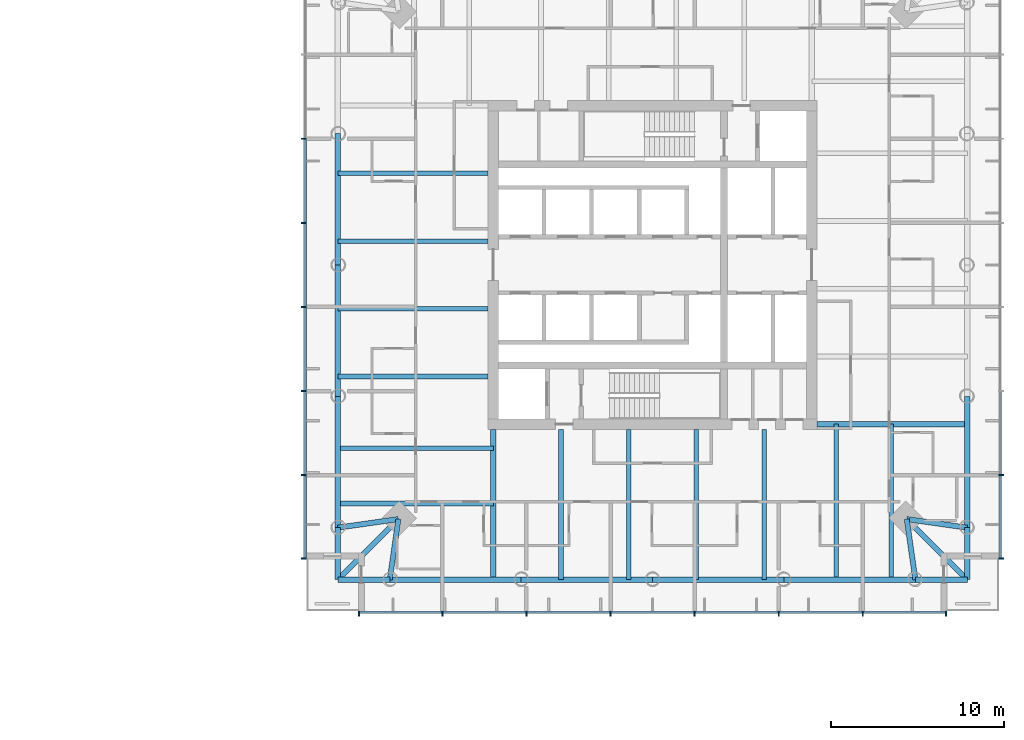
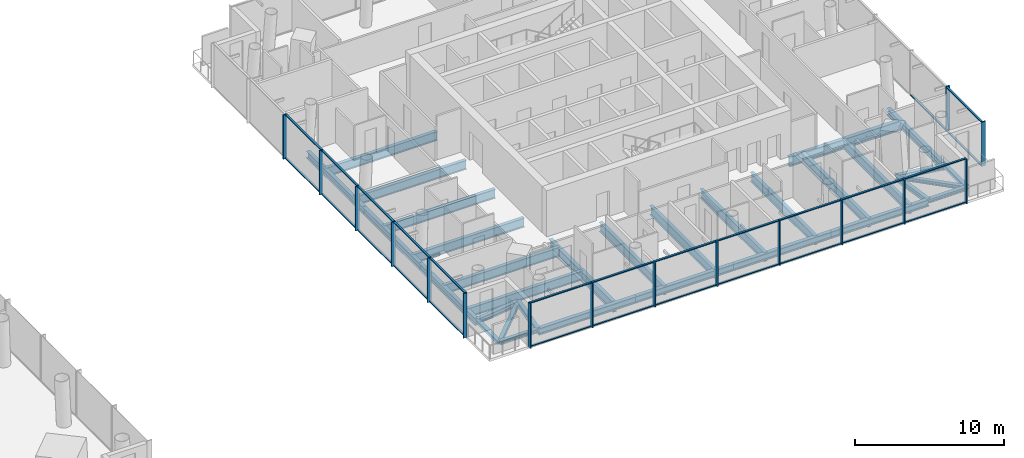
# One storey, part 5 of 22: 43 members, 32 beams, 3 elements without a shape of their own.
"""IFC4 building model written with IfcOpenShell, lengths in metres."""

from ifc_helpers import new_model, si_unit, direction, frame, origin, origin_2d, place, context, subcontext, project, spatial, rectangle, i_section, extrude, material, material_profile, profile_set, type_object, element, aggregate, save


model = new_model("IFC4")

# Units and contexts
model_context = context("Model", 3, precision=1e-05, world=origin(), true_north=direction((0.0, 1.0)))
body_context = subcontext(model_context, "Body", "Model", "MODEL_VIEW")
ifc_project = project(units=[si_unit("LENGTHUNIT", "METRE"), si_unit("AREAUNIT", "SQUARE_METRE"), si_unit("VOLUMEUNIT", "CUBIC_METRE"), si_unit("PLANEANGLEUNIT", "RADIAN"), si_unit("MASSUNIT", "GRAM", prefix="KILO")], contexts=[model_context])

# Site, building, storey
site_placement = place(None, origin())
site = spatial("IfcSite", under=ifc_project, at=site_placement, CompositionType="ELEMENT")
building_placement = place(site_placement, origin())
building = spatial("IfcBuilding", under=site, at=building_placement, Name="Ostroluk Exchange", CompositionType="ELEMENT")
storey_placement = place(building_placement, frame((0.0, 0.0, 40.0)))
storey = spatial("IfcBuildingStorey", under=building, at=storey_placement, Name="L09", CompositionType="ELEMENT", Elevation=40.0)

# Beams
ifc_material_1 = material(Name="Steel S355", Category="steel")
ifc_material_profile_1 = material_profile(ifc_material_1, i_section(OverallWidth=0.300048828125, OverallDepth=0.300048828125, WebThickness=0.010986328125, FlangeThickness=0.01904296875, FilletRadius=0.027099609375, at=origin_2d()), Name="HEB 300")
ifc_profile_set_1 = profile_set([ifc_material_profile_1], Name="Steel S355")
beam_type_1 = type_object("IfcBeamType", Name="Balcony beam HEB 300", PredefinedType="BEAM", material=ifc_profile_set_1)
for number, where, z_axis, x_axis, name in (
    (1, (98.81884765625, 30.81884765625, -0.35009765625), (0.0, -1.0, 0.0), (1.0, 0.0, 0.0), "T2 west balcony beam a"),
    (2, (101.81884765625, 27.81884765625, -0.35009765625), (-1.0, 0.0, 0.0), (0.0, -1.0, 0.0), "T2 west balcony beam b"),
):
    element("IfcBeam", number, at=place(storey_placement, frame(where, z_axis=z_axis, x_axis=x_axis)), inside=storey, type_object=beam_type_1, Name=name, PredefinedType="BEAM", context=body_context, shape_type="SweptSolid", body=[
        extrude(i_section(OverallWidth=0.300048828125, OverallDepth=0.300048828125, WebThickness=0.010986328125, FlangeThickness=0.01904296875, FilletRadius=0.027099609375, at=origin_2d()), origin(), (0.0, 0.0, 1.0), 3.0),
    ])
beam_1_placement = place(storey_placement, frame((102.31884765625, 31.31884765625, -0.35009765625), z_axis=(-0.707106781187, -0.707106781187, 0.0), x_axis=(0.707106781187, -0.707106781187, 0.0)))
element("IfcBeam", 3, at=beam_1_placement, inside=storey, type_object=beam_type_1, Name="T2 west balcony beam c", PredefinedType="BEAM", context=body_context, shape_type="SweptSolid", body=[
    extrude(i_section(OverallWidth=0.300048828125, OverallDepth=0.300048828125, WebThickness=0.010986328125, FlangeThickness=0.01904296875, FilletRadius=0.027099609375, at=origin_2d()), origin(), (0.0, 0.0, 1.0), 4.94970703125),
])
for number, where, z_axis, x_axis, name in (
    (4, (132.18115234375, 27.81884765625, -0.35009765625), (1.0, 0.0, 0.0), (0.0, 1.0, 0.0), "T2 south balcony beam a"),
    (5, (135.18115234375, 30.81884765625, -0.35009765625), (0.0, -1.0, 0.0), (1.0, 0.0, 0.0), "T2 south balcony beam b"),
):
    element("IfcBeam", number, at=place(storey_placement, frame(where, z_axis=z_axis, x_axis=x_axis)), inside=storey, type_object=beam_type_1, Name=name, PredefinedType="BEAM", context=body_context, shape_type="SweptSolid", body=[
        extrude(i_section(OverallWidth=0.300048828125, OverallDepth=0.300048828125, WebThickness=0.010986328125, FlangeThickness=0.01904296875, FilletRadius=0.027099609375, at=origin_2d()), origin(), (0.0, 0.0, 1.0), 3.0),
    ])
beam_2_placement = place(storey_placement, frame((131.68115234375, 31.31884765625, -0.35009765625), z_axis=(0.707106781187, -0.707106781187, 0.0), x_axis=(0.707106781187, 0.707106781187, 0.0)))
element("IfcBeam", 6, at=beam_2_placement, inside=storey, type_object=beam_type_1, Name="T2 south balcony beam c", PredefinedType="BEAM", context=body_context, shape_type="SweptSolid", body=[
    extrude(i_section(OverallWidth=0.300048828125, OverallDepth=0.300048828125, WebThickness=0.010986328125, FlangeThickness=0.01904296875, FilletRadius=0.027099609375, at=origin_2d()), origin(), (0.0, 0.0, 1.0), 4.94970703125),
])
ifc_material_2 = material(Name="Steel S355", Category="steel")
ifc_material_profile_2 = material_profile(ifc_material_2, i_section(OverallWidth=0.300048828125, OverallDepth=0.39990234375, WebThickness=0.013427734375, FlangeThickness=0.02392578125, FilletRadius=0.027099609375, at=origin_2d()), Name="HEB 400")
ifc_profile_set_2 = profile_set([ifc_material_profile_2], Name="Steel S355")
beam_type_2 = type_object("IfcBeamType", Name="Corner edge beam HEB 400", PredefinedType="SPANDREL", material=ifc_profile_set_2)
for number, where, z_axis, x_axis, name in (
    (7, (102.31884765625, 31.31884765625, -0.39990234375), (-0.989949493661, -0.141421356237, 0.0), (0.141421356237, -0.989949493661, 0.0), "T2 west corner edge beam a"),
    (8, (102.31884765625, 31.31884765625, -0.39990234375), (-0.141421356237, -0.989949493661, 0.0), (0.989949493661, -0.141421356237, 0.0), "T2 west corner edge beam b"),
    (9, (131.68115234375, 31.31884765625, -0.39990234375), (0.141421356237, -0.989949493661, 0.0), (0.989949493661, 0.141421356237, 0.0), "T2 south corner edge beam a"),
    (10, (131.68115234375, 31.31884765625, -0.39990234375), (0.989949493661, -0.141421356237, 0.0), (0.141421356237, 0.989949493661, 0.0), "T2 south corner edge beam b"),
):
    element("IfcBeam", number, at=place(storey_placement, frame(where, z_axis=z_axis, x_axis=x_axis)), inside=storey, type_object=beam_type_2, Name=name, PredefinedType="SPANDREL", context=body_context, shape_type="SweptSolid", body=[
        extrude(i_section(OverallWidth=0.300048828125, OverallDepth=0.39990234375, WebThickness=0.013427734375, FlangeThickness=0.02392578125, FilletRadius=0.027099609375, at=origin_2d()), origin(), (0.0, 0.0, 1.0), 3.53564453125),
    ])
ifc_material_3 = material(Name="Steel S355", Category="steel")
ifc_material_profile_3 = material_profile(ifc_material_3, i_section(OverallWidth=0.264892578125, OverallDepth=0.7529296875, WebThickness=0.01318359375, FlangeThickness=0.01708984375, FilletRadius=0.01708984375, at=origin_2d()), Name="IPE 750x147")
ifc_profile_set_3 = profile_set([ifc_material_profile_3], Name="Steel S355")
beam_type_3 = type_object("IfcBeamType", Name="Floor beam IPE 750x147", PredefinedType="BEAM", material=ifc_profile_set_3)
for number, where, z_axis, x_axis, name in (
    (11, (107.5, 51.288330078125, -0.576416015625), (-1.0, 0.0, 0.0), (0.0, -1.0, 0.0), "T2 west floor beam 1"),
    (12, (107.5, 47.376953125, -0.576416015625), (-1.0, 0.0, 0.0), (0.0, -1.0, 0.0), "T2 west floor beam 2"),
    (13, (107.5, 43.46533203125, -0.576416015625), (-1.0, 0.0, 0.0), (0.0, -1.0, 0.0), "T2 west floor beam 3"),
    (14, (107.5, 39.5537109375, -0.576416015625), (-1.0, 0.0, 0.0), (0.0, -1.0, 0.0), "T2 west floor beam 4"),
):
    element("IfcBeam", number, at=place(storey_placement, frame(where, z_axis=z_axis, x_axis=x_axis)), inside=storey, type_object=beam_type_3, Name=name, PredefinedType="BEAM", context=body_context, shape_type="SweptSolid", body=[
        extrude(i_section(OverallWidth=0.264892578125, OverallDepth=0.7529296875, WebThickness=0.01318359375, FlangeThickness=0.01708984375, FilletRadius=0.01708984375, at=origin_2d()), origin(), (0.0, 0.0, 1.0), 8.68115234375),
    ])
for number, where, z_axis, x_axis, name in (
    (15, (107.800048828125, 35.39990234375, -0.576416015625), (-1.0, 0.0, 0.0), (0.0, -1.0, 0.0), "T2 west floor beam 5"),
    (16, (107.800048828125, 32.218994140625, -0.576416015625), (-1.0, 0.0, 0.0), (0.0, -1.0, 0.0), "T2 west floor beam 6"),
):
    element("IfcBeam", number, at=place(storey_placement, frame(where, z_axis=z_axis, x_axis=x_axis)), inside=storey, type_object=beam_type_3, Name=name, PredefinedType="BEAM", context=body_context, shape_type="SweptSolid", body=[
        extrude(i_section(OverallWidth=0.264892578125, OverallDepth=0.7529296875, WebThickness=0.01318359375, FlangeThickness=0.01708984375, FilletRadius=0.01708984375, at=origin_2d()), origin(), (0.0, 0.0, 1.0), 8.981201171875),
    ])
for number, where, z_axis, x_axis, name in (
    (17, (111.711669921875, 36.5, -0.576416015625), (0.0, -1.0, 0.0), (1.0, 0.0, 0.0), "T2 south floor beam 1"),
    (18, (115.623046875, 36.5, -0.576416015625), (0.0, -1.0, 0.0), (1.0, 0.0, 0.0), "T2 south floor beam 2"),
    (19, (119.53466796875, 36.5, -0.576416015625), (0.0, -1.0, 0.0), (1.0, 0.0, 0.0), "T2 south floor beam 3"),
    (20, (123.4462890625, 36.5, -0.576416015625), (0.0, -1.0, 0.0), (1.0, 0.0, 0.0), "T2 south floor beam 4"),
):
    element("IfcBeam", number, at=place(storey_placement, frame(where, z_axis=z_axis, x_axis=x_axis)), inside=storey, type_object=beam_type_3, Name=name, PredefinedType="BEAM", context=body_context, shape_type="SweptSolid", body=[
        extrude(i_section(OverallWidth=0.264892578125, OverallDepth=0.7529296875, WebThickness=0.01318359375, FlangeThickness=0.01708984375, FilletRadius=0.01708984375, at=origin_2d()), origin(), (0.0, 0.0, 1.0), 8.68115234375),
    ])
for number, where, z_axis, x_axis, name in (
    (21, (127.60009765625, 36.800048828125, -0.576416015625), (0.0, -1.0, 0.0), (1.0, 0.0, 0.0), "T2 south floor beam 5"),
    (22, (130.781005859375, 36.800048828125, -0.576416015625), (0.0, -1.0, 0.0), (1.0, 0.0, 0.0), "T2 south floor beam 6"),
):
    element("IfcBeam", number, at=place(storey_placement, frame(where, z_axis=z_axis, x_axis=x_axis)), inside=storey, type_object=beam_type_3, Name=name, PredefinedType="BEAM", context=body_context, shape_type="SweptSolid", body=[
        extrude(i_section(OverallWidth=0.264892578125, OverallDepth=0.7529296875, WebThickness=0.01318359375, FlangeThickness=0.01708984375, FilletRadius=0.01708984375, at=origin_2d()), origin(), (0.0, 0.0, 1.0), 8.981201171875),
    ])
ifc_material_4 = material(Name="Steel S355", Category="steel")
ifc_material_profile_4 = material_profile(ifc_material_4, i_section(OverallWidth=0.300048828125, OverallDepth=0.800048828125, WebThickness=0.017578125, FlangeThickness=0.032958984375, FilletRadius=0.030029296875, at=origin_2d()), Name="HEB 800")
ifc_profile_set_4 = profile_set([ifc_material_profile_4], Name="Steel S355")
beam_type_4 = type_object("IfcBeamType", Name="Girder HEB 800", PredefinedType="BEAM", material=ifc_profile_set_4)
for number, where, z_axis, x_axis, name in (
    (23, (107.800048828125, 36.5, -0.60009765625), (0.0, -1.0, 0.0), (1.0, 0.0, 0.0), "T2 west girder"),
    (24, (126.5, 36.800048828125, -0.60009765625), (1.0, 0.0, 0.0), (0.0, 1.0, 0.0), "T2 south girder"),
):
    element("IfcBeam", number, at=place(storey_placement, frame(where, z_axis=z_axis, x_axis=x_axis)), inside=storey, type_object=beam_type_4, Name=name, PredefinedType="BEAM", context=body_context, shape_type="SweptSolid", body=[
        extrude(i_section(OverallWidth=0.300048828125, OverallDepth=0.800048828125, WebThickness=0.017578125, FlangeThickness=0.032958984375, FilletRadius=0.030029296875, at=origin_2d()), origin(), (0.0, 0.0, 1.0), 8.68115234375),
    ])
ifc_material_5 = material(Name="Steel S355", Category="steel")
ifc_material_profile_5 = material_profile(ifc_material_5, i_section(OverallWidth=0.300048828125, OverallDepth=0.550048828125, WebThickness=0.014892578125, FlangeThickness=0.029052734375, FilletRadius=0.027099609375, at=origin_2d()), Name="HEB 550")
ifc_profile_set_5 = profile_set([ifc_material_profile_5], Name="Steel S355")
beam_type_5 = type_object("IfcBeamType", Name="Moment-connected edge beam HEB 550", PredefinedType="SPANDREL", material=ifc_profile_set_5)
for number, where, z_axis, x_axis, name in (
    (25, (135.18115234375, 30.81884765625, -0.47509765625), (0.0, 1.0, 0.0), (-1.0, 0.0, 0.0), "T2 east edge beam 1"),
    (26, (98.81884765625, 53.590576171875, -0.47509765625), (0.0, -1.0, 0.0), (1.0, 0.0, 0.0), "T2 west edge beam 2"),
    (27, (98.81884765625, 46.0, -0.47509765625), (0.0, -1.0, 0.0), (1.0, 0.0, 0.0), "T2 west edge beam 3"),
    (28, (98.81884765625, 38.409423828125, -0.47509765625), (0.0, -1.0, 0.0), (1.0, 0.0, 0.0), "T2 west edge beam 4"),
    (29, (101.81884765625, 27.81884765625, -0.47509765625), (1.0, 0.0, 0.0), (0.0, 1.0, 0.0), "T2 south edge beam 1"),
    (30, (109.409423828125, 27.81884765625, -0.47509765625), (1.0, 0.0, 0.0), (0.0, 1.0, 0.0), "T2 south edge beam 2"),
    (31, (117.0, 27.81884765625, -0.47509765625), (1.0, 0.0, 0.0), (0.0, 1.0, 0.0), "T2 south edge beam 3"),
    (32, (124.590576171875, 27.81884765625, -0.47509765625), (1.0, 0.0, 0.0), (0.0, 1.0, 0.0), "T2 south edge beam 4"),
):
    element("IfcBeam", number, at=place(storey_placement, frame(where, z_axis=z_axis, x_axis=x_axis)), inside=storey, type_object=beam_type_5, Name=name, PredefinedType="SPANDREL", context=body_context, shape_type="SweptSolid", body=[
        extrude(i_section(OverallWidth=0.300048828125, OverallDepth=0.550048828125, WebThickness=0.014892578125, FlangeThickness=0.029052734375, FilletRadius=0.027099609375, at=origin_2d()), origin(), (0.0, 0.0, 1.0), 7.590576171875),
    ])

# Curtain wall, members
ifc_material_6 = material(Name="Laminated clear glass", Category="glass")
curtain_wall_type = type_object("IfcCurtainWallType", Name="Hotel guest floor facade", PredefinedType="USERDEFINED", material=ifc_material_6)
curtain_wall_1_placement = place(storey_placement, origin())
curtain_wall_1 = element("IfcCurtainWall", 33, at=curtain_wall_1_placement, inside=storey, type_object=curtain_wall_type, Name="Hotel tower south facade L09", ObjectType="UNITISED CURTAIN WALL", PredefinedType="USERDEFINED")
ifc_material_7 = material(Name="Aluminium mullion", Category="aluminium")
ifc_material_profile_6 = material_profile(ifc_material_7, rectangle(XDim=0.14990234375, YDim=0.080078125, at=origin_2d()), Name="Sill transom 80 x 150")
ifc_profile_set_6 = profile_set([ifc_material_profile_6], Name="Aluminium mullion")
member_type_1 = type_object("IfcMemberType", Name="Sill transom 80 x 150", PredefinedType="USERDEFINED", material=ifc_profile_set_6)
member_1_placement = place(storey_placement, frame((100.080078125, 25.925048828125, 0.0400390625), z_axis=(1.0, 0.0, 0.0), x_axis=(0.0, 1.0, 0.0)))
member_1 = element("IfcMember", 34, at=member_1_placement, type_object=member_type_1, Name="CW-H1 transom 1.1", ObjectType="TRANSOM", PredefinedType="USERDEFINED", context=body_context, shape_type="SweptSolid", body=[
    extrude(rectangle(XDim=0.14990234375, YDim=0.080078125, at=origin_2d()), origin(), (0.0, 0.0, 1.0), 4.737060546875),
])
member_2_placement = place(storey_placement, frame((100.080078125, 25.925048828125, 3.610107421875), z_axis=(1.0, 0.0, 0.0), x_axis=(0.0, 1.0, 0.0)))
member_2 = element("IfcMember", 35, at=member_2_placement, type_object=member_type_1, Name="CW-H1 transom 1.2", ObjectType="TRANSOM", PredefinedType="USERDEFINED", context=body_context, shape_type="SweptSolid", body=[
    extrude(rectangle(XDim=0.14990234375, YDim=0.080078125, at=origin_2d()), origin(), (0.0, 0.0, 1.0), 4.737060546875),
])
member_3_placement = place(storey_placement, frame((104.897216796875, 25.925048828125, 0.0400390625), z_axis=(1.0, 0.0, 0.0), x_axis=(0.0, 1.0, 0.0)))
member_3 = element("IfcMember", 36, at=member_3_placement, type_object=member_type_1, Name="CW-H1 transom 2.1", ObjectType="TRANSOM", PredefinedType="USERDEFINED", context=body_context, shape_type="SweptSolid", body=[
    extrude(rectangle(XDim=0.14990234375, YDim=0.080078125, at=origin_2d()), origin(), (0.0, 0.0, 1.0), 4.777099609375),
])
member_4_placement = place(storey_placement, frame((104.897216796875, 25.925048828125, 3.610107421875), z_axis=(1.0, 0.0, 0.0), x_axis=(0.0, 1.0, 0.0)))
member_4 = element("IfcMember", 37, at=member_4_placement, type_object=member_type_1, Name="CW-H1 transom 2.2", ObjectType="TRANSOM", PredefinedType="USERDEFINED", context=body_context, shape_type="SweptSolid", body=[
    extrude(rectangle(XDim=0.14990234375, YDim=0.080078125, at=origin_2d()), origin(), (0.0, 0.0, 1.0), 4.777099609375),
])
member_5_placement = place(storey_placement, frame((109.75439453125, 25.925048828125, 0.0400390625), z_axis=(1.0, 0.0, 0.0), x_axis=(0.0, 1.0, 0.0)))
member_5 = element("IfcMember", 38, at=member_5_placement, type_object=member_type_1, Name="CW-H1 transom 3.1", ObjectType="TRANSOM", PredefinedType="USERDEFINED", context=body_context, shape_type="SweptSolid", body=[
    extrude(rectangle(XDim=0.14990234375, YDim=0.080078125, at=origin_2d()), origin(), (0.0, 0.0, 1.0), 4.777099609375),
])
member_6_placement = place(storey_placement, frame((109.75439453125, 25.925048828125, 3.610107421875), z_axis=(1.0, 0.0, 0.0), x_axis=(0.0, 1.0, 0.0)))
member_6 = element("IfcMember", 39, at=member_6_placement, type_object=member_type_1, Name="CW-H1 transom 3.2", ObjectType="TRANSOM", PredefinedType="USERDEFINED", context=body_context, shape_type="SweptSolid", body=[
    extrude(rectangle(XDim=0.14990234375, YDim=0.080078125, at=origin_2d()), origin(), (0.0, 0.0, 1.0), 4.777099609375),
])
member_7_placement = place(storey_placement, frame((114.611328125, 25.925048828125, 0.0400390625), z_axis=(1.0, 0.0, 0.0), x_axis=(0.0, 1.0, 0.0)))
member_7 = element("IfcMember", 40, at=member_7_placement, type_object=member_type_1, Name="CW-H1 transom 4.1", ObjectType="TRANSOM", PredefinedType="USERDEFINED", context=body_context, shape_type="SweptSolid", body=[
    extrude(rectangle(XDim=0.14990234375, YDim=0.080078125, at=origin_2d()), origin(), (0.0, 0.0, 1.0), 4.77734375),
])
member_8_placement = place(storey_placement, frame((114.611328125, 25.925048828125, 3.610107421875), z_axis=(1.0, 0.0, 0.0), x_axis=(0.0, 1.0, 0.0)))
member_8 = element("IfcMember", 41, at=member_8_placement, type_object=member_type_1, Name="CW-H1 transom 4.2", ObjectType="TRANSOM", PredefinedType="USERDEFINED", context=body_context, shape_type="SweptSolid", body=[
    extrude(rectangle(XDim=0.14990234375, YDim=0.080078125, at=origin_2d()), origin(), (0.0, 0.0, 1.0), 4.77734375),
])
member_9_placement = place(storey_placement, frame((119.468505859375, 25.925048828125, 0.0400390625), z_axis=(1.0, 0.0, 0.0), x_axis=(0.0, 1.0, 0.0)))
member_9 = element("IfcMember", 42, at=member_9_placement, type_object=member_type_1, Name="CW-H1 transom 5.1", ObjectType="TRANSOM", PredefinedType="USERDEFINED", context=body_context, shape_type="SweptSolid", body=[
    extrude(rectangle(XDim=0.14990234375, YDim=0.080078125, at=origin_2d()), origin(), (0.0, 0.0, 1.0), 4.777099609375),
])
member_10_placement = place(storey_placement, frame((119.468505859375, 25.925048828125, 3.610107421875), z_axis=(1.0, 0.0, 0.0), x_axis=(0.0, 1.0, 0.0)))
member_10 = element("IfcMember", 43, at=member_10_placement, type_object=member_type_1, Name="CW-H1 transom 5.2", ObjectType="TRANSOM", PredefinedType="USERDEFINED", context=body_context, shape_type="SweptSolid", body=[
    extrude(rectangle(XDim=0.14990234375, YDim=0.080078125, at=origin_2d()), origin(), (0.0, 0.0, 1.0), 4.777099609375),
])
member_11_placement = place(storey_placement, frame((124.32568359375, 25.925048828125, 0.0400390625), z_axis=(1.0, 0.0, 0.0), x_axis=(0.0, 1.0, 0.0)))
member_11 = element("IfcMember", 44, at=member_11_placement, type_object=member_type_1, Name="CW-H1 transom 6.1", ObjectType="TRANSOM", PredefinedType="USERDEFINED", context=body_context, shape_type="SweptSolid", body=[
    extrude(rectangle(XDim=0.14990234375, YDim=0.080078125, at=origin_2d()), origin(), (0.0, 0.0, 1.0), 4.777099609375),
])
member_12_placement = place(storey_placement, frame((124.32568359375, 25.925048828125, 3.610107421875), z_axis=(1.0, 0.0, 0.0), x_axis=(0.0, 1.0, 0.0)))
member_12 = element("IfcMember", 45, at=member_12_placement, type_object=member_type_1, Name="CW-H1 transom 6.2", ObjectType="TRANSOM", PredefinedType="USERDEFINED", context=body_context, shape_type="SweptSolid", body=[
    extrude(rectangle(XDim=0.14990234375, YDim=0.080078125, at=origin_2d()), origin(), (0.0, 0.0, 1.0), 4.777099609375),
])
member_13_placement = place(storey_placement, frame((129.182861328125, 25.925048828125, 0.0400390625), z_axis=(1.0, 0.0, 0.0), x_axis=(0.0, 1.0, 0.0)))
member_13 = element("IfcMember", 46, at=member_13_placement, type_object=member_type_1, Name="CW-H1 transom 7.1", ObjectType="TRANSOM", PredefinedType="USERDEFINED", context=body_context, shape_type="SweptSolid", body=[
    extrude(rectangle(XDim=0.14990234375, YDim=0.080078125, at=origin_2d()), origin(), (0.0, 0.0, 1.0), 4.737060546875),
])
member_14_placement = place(storey_placement, frame((129.182861328125, 25.925048828125, 3.610107421875), z_axis=(1.0, 0.0, 0.0), x_axis=(0.0, 1.0, 0.0)))
member_14 = element("IfcMember", 47, at=member_14_placement, type_object=member_type_1, Name="CW-H1 transom 7.2", ObjectType="TRANSOM", PredefinedType="USERDEFINED", context=body_context, shape_type="SweptSolid", body=[
    extrude(rectangle(XDim=0.14990234375, YDim=0.080078125, at=origin_2d()), origin(), (0.0, 0.0, 1.0), 4.737060546875),
])

curtain_wall_2_placement = place(storey_placement, origin())
curtain_wall_2 = element("IfcCurtainWall", 48, at=curtain_wall_2_placement, inside=storey, type_object=curtain_wall_type, Name="Hotel tower east facade L09", ObjectType="UNITISED CURTAIN WALL", PredefinedType="USERDEFINED")
member_15_placement = place(storey_placement, frame((137.074951171875, 29.080078125, 0.0400390625), z_axis=(0.0, 1.0, 0.0), x_axis=(-1.0, 0.0, 0.0)))
member_15 = element("IfcMember", 49, at=member_15_placement, type_object=member_type_1, Name="CW-H1 transom 1.1", ObjectType="TRANSOM", PredefinedType="USERDEFINED", context=body_context, shape_type="SweptSolid", body=[
    extrude(rectangle(XDim=0.14990234375, YDim=0.080078125, at=origin_2d()), origin(), (0.0, 0.0, 1.0), 4.737060546875),
])
member_16_placement = place(storey_placement, frame((137.074951171875, 29.080078125, 3.610107421875), z_axis=(0.0, 1.0, 0.0), x_axis=(-1.0, 0.0, 0.0)))
member_16 = element("IfcMember", 50, at=member_16_placement, type_object=member_type_1, Name="CW-H1 transom 1.2", ObjectType="TRANSOM", PredefinedType="USERDEFINED", context=body_context, shape_type="SweptSolid", body=[
    extrude(rectangle(XDim=0.14990234375, YDim=0.080078125, at=origin_2d()), origin(), (0.0, 0.0, 1.0), 4.737060546875),
])
member_17_placement = place(storey_placement, frame((137.074951171875, 33.897216796875, 0.0400390625), z_axis=(0.0, 1.0, 0.0), x_axis=(-1.0, 0.0, 0.0)))
member_17 = element("IfcMember", 51, at=member_17_placement, type_object=member_type_1, Name="CW-H1 transom 2.1", ObjectType="TRANSOM", PredefinedType="USERDEFINED", context=body_context, shape_type="SweptSolid", body=[
    extrude(rectangle(XDim=0.14990234375, YDim=0.080078125, at=origin_2d()), origin(), (0.0, 0.0, 1.0), 4.777099609375),
])

curtain_wall_3_placement = place(storey_placement, origin())
curtain_wall_3 = element("IfcCurtainWall", 52, at=curtain_wall_3_placement, inside=storey, type_object=curtain_wall_type, Name="Hotel tower west facade L09", ObjectType="UNITISED CURTAIN WALL", PredefinedType="USERDEFINED")
member_18_placement = place(storey_placement, frame((96.925048828125, 53.24560546875, 0.0400390625), z_axis=(0.0, -1.0, 0.0), x_axis=(1.0, 0.0, 0.0)))
member_18 = element("IfcMember", 53, at=member_18_placement, type_object=member_type_1, Name="CW-H1 transom 3.1", ObjectType="TRANSOM", PredefinedType="USERDEFINED", context=body_context, shape_type="SweptSolid", body=[
    extrude(rectangle(XDim=0.14990234375, YDim=0.080078125, at=origin_2d()), origin(), (0.0, 0.0, 1.0), 4.777099609375),
])
member_19_placement = place(storey_placement, frame((96.925048828125, 53.24560546875, 3.610107421875), z_axis=(0.0, -1.0, 0.0), x_axis=(1.0, 0.0, 0.0)))
member_19 = element("IfcMember", 54, at=member_19_placement, type_object=member_type_1, Name="CW-H1 transom 3.2", ObjectType="TRANSOM", PredefinedType="USERDEFINED", context=body_context, shape_type="SweptSolid", body=[
    extrude(rectangle(XDim=0.14990234375, YDim=0.080078125, at=origin_2d()), origin(), (0.0, 0.0, 1.0), 4.777099609375),
])
member_20_placement = place(storey_placement, frame((96.925048828125, 48.388671875, 0.0400390625), z_axis=(0.0, -1.0, 0.0), x_axis=(1.0, 0.0, 0.0)))
member_20 = element("IfcMember", 55, at=member_20_placement, type_object=member_type_1, Name="CW-H1 transom 4.1", ObjectType="TRANSOM", PredefinedType="USERDEFINED", context=body_context, shape_type="SweptSolid", body=[
    extrude(rectangle(XDim=0.14990234375, YDim=0.080078125, at=origin_2d()), origin(), (0.0, 0.0, 1.0), 4.77734375),
])
member_21_placement = place(storey_placement, frame((96.925048828125, 48.388671875, 3.610107421875), z_axis=(0.0, -1.0, 0.0), x_axis=(1.0, 0.0, 0.0)))
member_21 = element("IfcMember", 56, at=member_21_placement, type_object=member_type_1, Name="CW-H1 transom 4.2", ObjectType="TRANSOM", PredefinedType="USERDEFINED", context=body_context, shape_type="SweptSolid", body=[
    extrude(rectangle(XDim=0.14990234375, YDim=0.080078125, at=origin_2d()), origin(), (0.0, 0.0, 1.0), 4.77734375),
])
member_22_placement = place(storey_placement, frame((96.925048828125, 43.531494140625, 0.0400390625), z_axis=(0.0, -1.0, 0.0), x_axis=(1.0, 0.0, 0.0)))
member_22 = element("IfcMember", 57, at=member_22_placement, type_object=member_type_1, Name="CW-H1 transom 5.1", ObjectType="TRANSOM", PredefinedType="USERDEFINED", context=body_context, shape_type="SweptSolid", body=[
    extrude(rectangle(XDim=0.14990234375, YDim=0.080078125, at=origin_2d()), origin(), (0.0, 0.0, 1.0), 4.777099609375),
])
member_23_placement = place(storey_placement, frame((96.925048828125, 43.531494140625, 3.610107421875), z_axis=(0.0, -1.0, 0.0), x_axis=(1.0, 0.0, 0.0)))
member_23 = element("IfcMember", 58, at=member_23_placement, type_object=member_type_1, Name="CW-H1 transom 5.2", ObjectType="TRANSOM", PredefinedType="USERDEFINED", context=body_context, shape_type="SweptSolid", body=[
    extrude(rectangle(XDim=0.14990234375, YDim=0.080078125, at=origin_2d()), origin(), (0.0, 0.0, 1.0), 4.777099609375),
])
member_24_placement = place(storey_placement, frame((96.925048828125, 38.67431640625, 0.0400390625), z_axis=(0.0, -1.0, 0.0), x_axis=(1.0, 0.0, 0.0)))
member_24 = element("IfcMember", 59, at=member_24_placement, type_object=member_type_1, Name="CW-H1 transom 6.1", ObjectType="TRANSOM", PredefinedType="USERDEFINED", context=body_context, shape_type="SweptSolid", body=[
    extrude(rectangle(XDim=0.14990234375, YDim=0.080078125, at=origin_2d()), origin(), (0.0, 0.0, 1.0), 4.777099609375),
])
member_25_placement = place(storey_placement, frame((96.925048828125, 38.67431640625, 3.610107421875), z_axis=(0.0, -1.0, 0.0), x_axis=(1.0, 0.0, 0.0)))
member_25 = element("IfcMember", 60, at=member_25_placement, type_object=member_type_1, Name="CW-H1 transom 6.2", ObjectType="TRANSOM", PredefinedType="USERDEFINED", context=body_context, shape_type="SweptSolid", body=[
    extrude(rectangle(XDim=0.14990234375, YDim=0.080078125, at=origin_2d()), origin(), (0.0, 0.0, 1.0), 4.777099609375),
])
member_26_placement = place(storey_placement, frame((96.925048828125, 33.817138671875, 0.0400390625), z_axis=(0.0, -1.0, 0.0), x_axis=(1.0, 0.0, 0.0)))
member_26 = element("IfcMember", 61, at=member_26_placement, type_object=member_type_1, Name="CW-H1 transom 7.1", ObjectType="TRANSOM", PredefinedType="USERDEFINED", context=body_context, shape_type="SweptSolid", body=[
    extrude(rectangle(XDim=0.14990234375, YDim=0.080078125, at=origin_2d()), origin(), (0.0, 0.0, 1.0), 4.737060546875),
])
member_27_placement = place(storey_placement, frame((96.925048828125, 33.817138671875, 3.610107421875), z_axis=(0.0, -1.0, 0.0), x_axis=(1.0, 0.0, 0.0)))
member_27 = element("IfcMember", 62, at=member_27_placement, type_object=member_type_1, Name="CW-H1 transom 7.2", ObjectType="TRANSOM", PredefinedType="USERDEFINED", context=body_context, shape_type="SweptSolid", body=[
    extrude(rectangle(XDim=0.14990234375, YDim=0.080078125, at=origin_2d()), origin(), (0.0, 0.0, 1.0), 4.737060546875),
])

# Member
ifc_material_8 = material(Name="Aluminium mullion with limestone facing", Category="masonry")
ifc_material_profile_7 = material_profile(ifc_material_8, rectangle(XDim=0.300048828125, YDim=0.080078125, at=origin_2d()), Name="Tracery mullion 80 x 300")
ifc_profile_set_7 = profile_set([ifc_material_profile_7], Name="Aluminium mullion with limestone facing")
member_type_2 = type_object("IfcMemberType", Name="Tracery mullion 80 x 300", PredefinedType="MULLION", material=ifc_profile_set_7)
member_28_placement = place(storey_placement, frame((100.0400390625, 25.85009765625, 0.0), z_axis=(0.0, 0.0, 1.0), x_axis=(0.0, 1.0, 0.0)))
member_28 = element("IfcMember", 63, at=member_28_placement, type_object=member_type_2, Name="CW-H1 mullion 1", PredefinedType="MULLION", context=body_context, shape_type="SweptSolid", body=[
    extrude(rectangle(XDim=0.300048828125, YDim=0.080078125, at=origin_2d()), origin(), (0.0, 0.0, 1.0), 3.64990234375),
])

member_29_placement = place(storey_placement, frame((104.857177734375, 25.85009765625, 0.0), z_axis=(0.0, 0.0, 1.0), x_axis=(0.0, 1.0, 0.0)))
member_29 = element("IfcMember", 64, at=member_29_placement, type_object=member_type_2, Name="CW-H1 mullion 2", PredefinedType="MULLION", context=body_context, shape_type="SweptSolid", body=[
    extrude(rectangle(XDim=0.300048828125, YDim=0.080078125, at=origin_2d()), origin(), (0.0, 0.0, 1.0), 3.64990234375),
])

member_30_placement = place(storey_placement, frame((109.71435546875, 25.85009765625, 0.0), z_axis=(0.0, 0.0, 1.0), x_axis=(0.0, 1.0, 0.0)))
member_30 = element("IfcMember", 65, at=member_30_placement, type_object=member_type_2, Name="CW-H1 mullion 3", PredefinedType="MULLION", context=body_context, shape_type="SweptSolid", body=[
    extrude(rectangle(XDim=0.300048828125, YDim=0.080078125, at=origin_2d()), origin(), (0.0, 0.0, 1.0), 3.64990234375),
])

member_31_placement = place(storey_placement, frame((114.571533203125, 25.85009765625, 0.0), z_axis=(0.0, 0.0, 1.0), x_axis=(0.0, 1.0, 0.0)))
member_31 = element("IfcMember", 66, at=member_31_placement, type_object=member_type_2, Name="CW-H1 mullion 4", PredefinedType="MULLION", context=body_context, shape_type="SweptSolid", body=[
    extrude(rectangle(XDim=0.300048828125, YDim=0.080078125, at=origin_2d()), origin(), (0.0, 0.0, 1.0), 3.64990234375),
])

member_32_placement = place(storey_placement, frame((119.428466796875, 25.85009765625, 0.0), z_axis=(0.0, 0.0, 1.0), x_axis=(0.0, 1.0, 0.0)))
member_32 = element("IfcMember", 67, at=member_32_placement, type_object=member_type_2, Name="CW-H1 mullion 5", PredefinedType="MULLION", context=body_context, shape_type="SweptSolid", body=[
    extrude(rectangle(XDim=0.300048828125, YDim=0.080078125, at=origin_2d()), origin(), (0.0, 0.0, 1.0), 3.64990234375),
])

member_33_placement = place(storey_placement, frame((124.28564453125, 25.85009765625, 0.0), z_axis=(0.0, 0.0, 1.0), x_axis=(0.0, 1.0, 0.0)))
member_33 = element("IfcMember", 68, at=member_33_placement, type_object=member_type_2, Name="CW-H1 mullion 6", PredefinedType="MULLION", context=body_context, shape_type="SweptSolid", body=[
    extrude(rectangle(XDim=0.300048828125, YDim=0.080078125, at=origin_2d()), origin(), (0.0, 0.0, 1.0), 3.64990234375),
])

member_34_placement = place(storey_placement, frame((129.142822265625, 25.85009765625, 0.0), z_axis=(0.0, 0.0, 1.0), x_axis=(0.0, 1.0, 0.0)))
member_34 = element("IfcMember", 69, at=member_34_placement, type_object=member_type_2, Name="CW-H1 mullion 7", PredefinedType="MULLION", context=body_context, shape_type="SweptSolid", body=[
    extrude(rectangle(XDim=0.300048828125, YDim=0.080078125, at=origin_2d()), origin(), (0.0, 0.0, 1.0), 3.64990234375),
])

member_35_placement = place(storey_placement, frame((133.9599609375, 25.85009765625, 0.0), z_axis=(0.0, 0.0, 1.0), x_axis=(0.0, 1.0, 0.0)))
member_35 = element("IfcMember", 70, at=member_35_placement, type_object=member_type_2, Name="CW-H1 mullion 8", PredefinedType="MULLION", context=body_context, shape_type="SweptSolid", body=[
    extrude(rectangle(XDim=0.300048828125, YDim=0.080078125, at=origin_2d()), origin(), (0.0, 0.0, 1.0), 3.64990234375),
])

aggregate(curtain_wall_1, [member_28, member_29, member_30, member_31, member_32, member_33, member_34, member_35, member_1, member_2, member_3, member_4, member_5, member_6, member_7, member_8, member_9, member_10, member_11, member_12, member_13, member_14])

member_36_placement = place(storey_placement, frame((137.14990234375, 29.0400390625, 0.0), z_axis=(0.0, 0.0, 1.0), x_axis=(-1.0, 0.0, 0.0)))
member_36 = element("IfcMember", 71, at=member_36_placement, type_object=member_type_2, Name="CW-H1 mullion 1", PredefinedType="MULLION", context=body_context, shape_type="SweptSolid", body=[
    extrude(rectangle(XDim=0.300048828125, YDim=0.080078125, at=origin_2d()), origin(), (0.0, 0.0, 1.0), 3.64990234375),
])

member_37_placement = place(storey_placement, frame((137.14990234375, 33.857177734375, 0.0), z_axis=(0.0, 0.0, 1.0), x_axis=(-1.0, 0.0, 0.0)))
member_37 = element("IfcMember", 72, at=member_37_placement, type_object=member_type_2, Name="CW-H1 mullion 2", PredefinedType="MULLION", context=body_context, shape_type="SweptSolid", body=[
    extrude(rectangle(XDim=0.300048828125, YDim=0.080078125, at=origin_2d()), origin(), (0.0, 0.0, 1.0), 3.64990234375),
])

aggregate(curtain_wall_2, [member_36, member_37, member_15, member_16, member_17])

member_38_placement = place(storey_placement, frame((96.85009765625, 53.28564453125, 0.0), z_axis=(0.0, 0.0, 1.0), x_axis=(1.0, 0.0, 0.0)))
member_38 = element("IfcMember", 73, at=member_38_placement, type_object=member_type_2, Name="CW-H1 mullion 3", PredefinedType="MULLION", context=body_context, shape_type="SweptSolid", body=[
    extrude(rectangle(XDim=0.300048828125, YDim=0.080078125, at=origin_2d()), origin(), (0.0, 0.0, 1.0), 3.64990234375),
])

member_39_placement = place(storey_placement, frame((96.85009765625, 48.428466796875, 0.0), z_axis=(0.0, 0.0, 1.0), x_axis=(1.0, 0.0, 0.0)))
member_39 = element("IfcMember", 74, at=member_39_placement, type_object=member_type_2, Name="CW-H1 mullion 4", PredefinedType="MULLION", context=body_context, shape_type="SweptSolid", body=[
    extrude(rectangle(XDim=0.300048828125, YDim=0.080078125, at=origin_2d()), origin(), (0.0, 0.0, 1.0), 3.64990234375),
])

member_40_placement = place(storey_placement, frame((96.85009765625, 43.571533203125, 0.0), z_axis=(0.0, 0.0, 1.0), x_axis=(1.0, 0.0, 0.0)))
member_40 = element("IfcMember", 75, at=member_40_placement, type_object=member_type_2, Name="CW-H1 mullion 5", PredefinedType="MULLION", context=body_context, shape_type="SweptSolid", body=[
    extrude(rectangle(XDim=0.300048828125, YDim=0.080078125, at=origin_2d()), origin(), (0.0, 0.0, 1.0), 3.64990234375),
])

member_41_placement = place(storey_placement, frame((96.85009765625, 38.71435546875, 0.0), z_axis=(0.0, 0.0, 1.0), x_axis=(1.0, 0.0, 0.0)))
member_41 = element("IfcMember", 76, at=member_41_placement, type_object=member_type_2, Name="CW-H1 mullion 6", PredefinedType="MULLION", context=body_context, shape_type="SweptSolid", body=[
    extrude(rectangle(XDim=0.300048828125, YDim=0.080078125, at=origin_2d()), origin(), (0.0, 0.0, 1.0), 3.64990234375),
])

member_42_placement = place(storey_placement, frame((96.85009765625, 33.857177734375, 0.0), z_axis=(0.0, 0.0, 1.0), x_axis=(1.0, 0.0, 0.0)))
member_42 = element("IfcMember", 77, at=member_42_placement, type_object=member_type_2, Name="CW-H1 mullion 7", PredefinedType="MULLION", context=body_context, shape_type="SweptSolid", body=[
    extrude(rectangle(XDim=0.300048828125, YDim=0.080078125, at=origin_2d()), origin(), (0.0, 0.0, 1.0), 3.64990234375),
])

member_43_placement = place(storey_placement, frame((96.85009765625, 29.0400390625, 0.0), z_axis=(0.0, 0.0, 1.0), x_axis=(1.0, 0.0, 0.0)))
member_43 = element("IfcMember", 78, at=member_43_placement, type_object=member_type_2, Name="CW-H1 mullion 8", PredefinedType="MULLION", context=body_context, shape_type="SweptSolid", body=[
    extrude(rectangle(XDim=0.300048828125, YDim=0.080078125, at=origin_2d()), origin(), (0.0, 0.0, 1.0), 3.64990234375),
])

aggregate(curtain_wall_3, [member_38, member_39, member_40, member_41, member_42, member_43, member_18, member_19, member_20, member_21, member_22, member_23, member_24, member_25, member_26, member_27])

save(model, "model.ifc")
